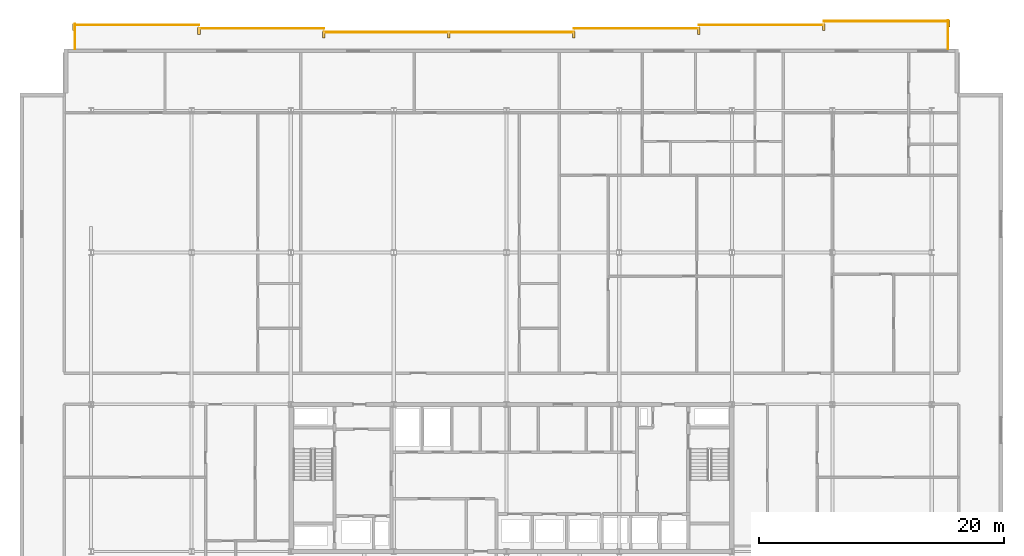
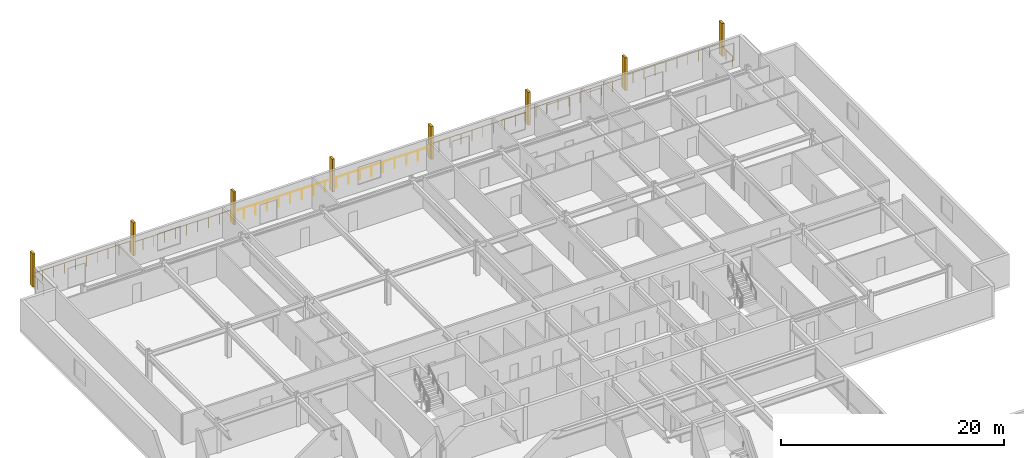
# One storey, part 36 of 36: 8 railings, 8 shading devices.
"""IFC4 building model written with IfcOpenShell, lengths in metres."""

from ifc_helpers import new_model, si_unit, direction, frame, origin, origin_2d, place, context, subcontext, project, spatial, rectangle, circle, extrude, material, type_object, element, save


model = new_model("IFC4")

# Units and contexts
model_context = context("Model", 3, precision=1e-05, world=origin(), true_north=direction((0.0, 1.0)))
body_context = subcontext(model_context, "Body", "Model", "MODEL_VIEW")
ifc_project = project(units=[si_unit("LENGTHUNIT", "METRE"), si_unit("AREAUNIT", "SQUARE_METRE"), si_unit("VOLUMEUNIT", "CUBIC_METRE"), si_unit("PLANEANGLEUNIT", "RADIAN"), si_unit("MASSUNIT", "GRAM", prefix="KILO")], contexts=[model_context])

# Site, building, storey
site_placement = place(None, origin())
site = spatial("IfcSite", under=ifc_project, at=site_placement, CompositionType="ELEMENT")
building_placement = place(site_placement, origin())
building = spatial("IfcBuilding", under=site, at=building_placement, Name="Korimba Cascade Residences", CompositionType="ELEMENT")
storey_placement = place(building_placement, frame((0.0, 0.0, 139.300048828125)))
storey = spatial("IfcBuildingStorey", under=building, at=storey_placement, Name="L40", CompositionType="ELEMENT", Elevation=139.300048828125)

# Railings
ifc_material_1 = material(Name="Laminated Glass and Bronze Balustrade", Category="glass")
railing_type = type_object("IfcRailingType", Name="RLG-LOG-1150", PredefinedType="BALUSTRADE", material=ifc_material_1)
railing_1_placement = place(storey_placement, frame((129.719970703125, 96.199951171875, 0.0)))
element("IfcRailing", 1, at=railing_1_placement, inside=storey, type_object=railing_type, Name="L40 Perimeter Guardrail RLG-L40-T1-LOG-01", PredefinedType="BALUSTRADE", context=body_context, shape_type="SweptSolid", body=[
    extrude(circle(Radius=0.02392578125, at=origin_2d()), frame((0.0, 0.0, 1.1259765625), z_axis=(0.0, 1.0, 0.0), x_axis=(-1.0, 0.0, 0.0)), (0.0, 0.0, 1.0), 2.35009765625),
    extrude(circle(Radius=0.02099609375, at=origin_2d()), origin(), (0.0, 0.0, 1.0), 1.101806640625),
    extrude(circle(Radius=0.02099609375, at=origin_2d()), frame((0.0, 1.175048828125, 0.0)), (0.0, 0.0, 1.0), 1.101806640625),
    extrude(circle(Radius=0.02099609375, at=origin_2d()), frame((0.0, 2.35009765625, 0.0)), (0.0, 0.0, 1.0), 1.101806640625),
])
railing_2_placement = place(storey_placement, frame((129.800048828125, 98.469970703125, 0.0)))
element("IfcRailing", 2, at=railing_2_placement, inside=storey, type_object=railing_type, Name="L40 Perimeter Guardrail RLG-L40-T1-LOG-02", PredefinedType="BALUSTRADE", context=body_context, shape_type="SweptSolid", body=[
    extrude(circle(Radius=0.02392578125, at=origin_2d()), frame((0.0, 0.0, 1.1259765625), z_axis=(-1.0, 0.0, 0.0), x_axis=(0.0, -1.0, 0.0)), (0.0, 0.0, 1.0), 10.199951171875),
    extrude(circle(Radius=0.02099609375, at=origin_2d()), origin(), (0.0, 0.0, 1.0), 1.101806640625),
    extrude(circle(Radius=0.02099609375, at=origin_2d()), frame((-1.13330078125, 0.0, 0.0)), (0.0, 0.0, 1.0), 1.101806640625),
    extrude(circle(Radius=0.02099609375, at=origin_2d()), frame((-2.2666015625, 0.0, 0.0)), (0.0, 0.0, 1.0), 1.101806640625),
    extrude(circle(Radius=0.02099609375, at=origin_2d()), frame((-3.39990234375, 0.0, 0.0)), (0.0, 0.0, 1.0), 1.101806640625),
    extrude(circle(Radius=0.02099609375, at=origin_2d()), frame((-4.533203125, 0.0, 0.0)), (0.0, 0.0, 1.0), 1.101806640625),
    extrude(circle(Radius=0.02099609375, at=origin_2d()), frame((-5.666748046875, 0.0, 0.0)), (0.0, 0.0, 1.0), 1.101806640625),
    extrude(circle(Radius=0.02099609375, at=origin_2d()), frame((-6.800048828125, 0.0, 0.0)), (0.0, 0.0, 1.0), 1.101806640625),
    extrude(circle(Radius=0.02099609375, at=origin_2d()), frame((-7.933349609375, 0.0, 0.0)), (0.0, 0.0, 1.0), 1.101806640625),
    extrude(circle(Radius=0.02099609375, at=origin_2d()), frame((-9.066650390625, 0.0, 0.0)), (0.0, 0.0, 1.0), 1.101806640625),
    extrude(circle(Radius=0.02099609375, at=origin_2d()), frame((-10.199951171875, 0.0, 0.0)), (0.0, 0.0, 1.0), 1.101806640625),
])
railing_3_placement = place(storey_placement, frame((119.60009765625, 98.169921875, 0.0)))
element("IfcRailing", 3, at=railing_3_placement, inside=storey, type_object=railing_type, Name="L40 Perimeter Guardrail RLG-L40-T1-LOG-03", PredefinedType="BALUSTRADE", context=body_context, shape_type="SweptSolid", body=[
    extrude(circle(Radius=0.02392578125, at=origin_2d()), frame((0.0, 0.0, 1.1259765625), z_axis=(-1.0, 0.0, 0.0), x_axis=(0.0, -1.0, 0.0)), (0.0, 0.0, 1.0), 10.2001953125),
    extrude(circle(Radius=0.02099609375, at=origin_2d()), origin(), (0.0, 0.0, 1.0), 1.101806640625),
    extrude(circle(Radius=0.02099609375, at=origin_2d()), frame((-1.13330078125, 0.0, 0.0)), (0.0, 0.0, 1.0), 1.101806640625),
    extrude(circle(Radius=0.02099609375, at=origin_2d()), frame((-2.2666015625, 0.0, 0.0)), (0.0, 0.0, 1.0), 1.101806640625),
    extrude(circle(Radius=0.02099609375, at=origin_2d()), frame((-3.400146484375, 0.0, 0.0)), (0.0, 0.0, 1.0), 1.101806640625),
    extrude(circle(Radius=0.02099609375, at=origin_2d()), frame((-4.533447265625, 0.0, 0.0)), (0.0, 0.0, 1.0), 1.101806640625),
    extrude(circle(Radius=0.02099609375, at=origin_2d()), frame((-5.666748046875, 0.0, 0.0)), (0.0, 0.0, 1.0), 1.101806640625),
    extrude(circle(Radius=0.02099609375, at=origin_2d()), frame((-6.800048828125, 0.0, 0.0)), (0.0, 0.0, 1.0), 1.101806640625),
    extrude(circle(Radius=0.02099609375, at=origin_2d()), frame((-7.93359375, 0.0, 0.0)), (0.0, 0.0, 1.0), 1.101806640625),
    extrude(circle(Radius=0.02099609375, at=origin_2d()), frame((-9.06689453125, 0.0, 0.0)), (0.0, 0.0, 1.0), 1.101806640625),
    extrude(circle(Radius=0.02099609375, at=origin_2d()), frame((-10.2001953125, 0.0, 0.0)), (0.0, 0.0, 1.0), 1.101806640625),
])
railing_4_placement = place(storey_placement, frame((109.39990234375, 97.8701171875, 0.0)))
element("IfcRailing", 4, at=railing_4_placement, inside=storey, type_object=railing_type, Name="L40 Perimeter Guardrail RLG-L40-T1-LOG-04", PredefinedType="BALUSTRADE", context=body_context, shape_type="SweptSolid", body=[
    extrude(circle(Radius=0.02392578125, at=origin_2d()), frame((0.0, 0.0, 1.1259765625), z_axis=(-1.0, 0.0, 0.0), x_axis=(0.0, -1.0, 0.0)), (0.0, 0.0, 1.0), 10.199951171875),
    extrude(circle(Radius=0.02099609375, at=origin_2d()), origin(), (0.0, 0.0, 1.0), 1.101806640625),
    extrude(circle(Radius=0.02099609375, at=origin_2d()), frame((-1.13330078125, 0.0, 0.0)), (0.0, 0.0, 1.0), 1.101806640625),
    extrude(circle(Radius=0.02099609375, at=origin_2d()), frame((-2.2666015625, 0.0, 0.0)), (0.0, 0.0, 1.0), 1.101806640625),
    extrude(circle(Radius=0.02099609375, at=origin_2d()), frame((-3.39990234375, 0.0, 0.0)), (0.0, 0.0, 1.0), 1.101806640625),
    extrude(circle(Radius=0.02099609375, at=origin_2d()), frame((-4.533203125, 0.0, 0.0)), (0.0, 0.0, 1.0), 1.101806640625),
    extrude(circle(Radius=0.02099609375, at=origin_2d()), frame((-5.666748046875, 0.0, 0.0)), (0.0, 0.0, 1.0), 1.101806640625),
    extrude(circle(Radius=0.02099609375, at=origin_2d()), frame((-6.800048828125, 0.0, 0.0)), (0.0, 0.0, 1.0), 1.101806640625),
    extrude(circle(Radius=0.02099609375, at=origin_2d()), frame((-7.933349609375, 0.0, 0.0)), (0.0, 0.0, 1.0), 1.101806640625),
    extrude(circle(Radius=0.02099609375, at=origin_2d()), frame((-9.066650390625, 0.0, 0.0)), (0.0, 0.0, 1.0), 1.101806640625),
    extrude(circle(Radius=0.02099609375, at=origin_2d()), frame((-10.199951171875, 0.0, 0.0)), (0.0, 0.0, 1.0), 1.101806640625),
])
railing_5_placement = place(storey_placement, frame((99.199951171875, 97.570068359375, 0.0)))
element("IfcRailing", 5, at=railing_5_placement, inside=storey, type_object=railing_type, Name="L40 Perimeter Guardrail RLG-L40-T1-LOG-05", PredefinedType="BALUSTRADE", context=body_context, shape_type="SweptSolid", body=[
    extrude(circle(Radius=0.02392578125, at=origin_2d()), frame((0.0, 0.0, 1.1259765625), z_axis=(-1.0, 0.0, 0.0), x_axis=(0.0, -1.0, 0.0)), (0.0, 0.0, 1.0), 20.39990234375),
    extrude(circle(Radius=0.02099609375, at=origin_2d()), origin(), (0.0, 0.0, 1.0), 1.101806640625),
    extrude(circle(Radius=0.02099609375, at=origin_2d()), frame((-1.199951171875, 0.0, 0.0)), (0.0, 0.0, 1.0), 1.101806640625),
    extrude(circle(Radius=0.02099609375, at=origin_2d()), frame((-2.39990234375, 0.0, 0.0)), (0.0, 0.0, 1.0), 1.101806640625),
    extrude(circle(Radius=0.02099609375, at=origin_2d()), frame((-3.60009765625, 0.0, 0.0)), (0.0, 0.0, 1.0), 1.101806640625),
    extrude(circle(Radius=0.02099609375, at=origin_2d()), frame((-4.800048828125, 0.0, 0.0)), (0.0, 0.0, 1.0), 1.101806640625),
    extrude(circle(Radius=0.02099609375, at=origin_2d()), frame((-6.0, 0.0, 0.0)), (0.0, 0.0, 1.0), 1.101806640625),
    extrude(circle(Radius=0.02099609375, at=origin_2d()), frame((-7.199951171875, 0.0, 0.0)), (0.0, 0.0, 1.0), 1.101806640625),
    extrude(circle(Radius=0.02099609375, at=origin_2d()), frame((-8.39990234375, 0.0, 0.0)), (0.0, 0.0, 1.0), 1.101806640625),
    extrude(circle(Radius=0.02099609375, at=origin_2d()), frame((-9.599853515625, 0.0, 0.0)), (0.0, 0.0, 1.0), 1.101806640625),
    extrude(circle(Radius=0.02099609375, at=origin_2d()), frame((-10.800048828125, 0.0, 0.0)), (0.0, 0.0, 1.0), 1.101806640625),
    extrude(circle(Radius=0.02099609375, at=origin_2d()), frame((-12.0, 0.0, 0.0)), (0.0, 0.0, 1.0), 1.101806640625),
    extrude(circle(Radius=0.02099609375, at=origin_2d()), frame((-13.199951171875, 0.0, 0.0)), (0.0, 0.0, 1.0), 1.101806640625),
    extrude(circle(Radius=0.02099609375, at=origin_2d()), frame((-14.39990234375, 0.0, 0.0)), (0.0, 0.0, 1.0), 1.101806640625),
    extrude(circle(Radius=0.02099609375, at=origin_2d()), frame((-15.599853515625, 0.0, 0.0)), (0.0, 0.0, 1.0), 1.101806640625),
    extrude(circle(Radius=0.02099609375, at=origin_2d()), frame((-16.7998046875, 0.0, 0.0)), (0.0, 0.0, 1.0), 1.101806640625),
    extrude(circle(Radius=0.02099609375, at=origin_2d()), frame((-18.0, 0.0, 0.0)), (0.0, 0.0, 1.0), 1.101806640625),
    extrude(circle(Radius=0.02099609375, at=origin_2d()), frame((-19.199951171875, 0.0, 0.0)), (0.0, 0.0, 1.0), 1.101806640625),
    extrude(circle(Radius=0.02099609375, at=origin_2d()), frame((-20.39990234375, 0.0, 0.0)), (0.0, 0.0, 1.0), 1.101806640625),
])
railing_6_placement = place(storey_placement, frame((78.800048828125, 97.8701171875, 0.0)))
element("IfcRailing", 6, at=railing_6_placement, inside=storey, type_object=railing_type, Name="L40 Perimeter Guardrail RLG-L40-T1-LOG-06", PredefinedType="BALUSTRADE", context=body_context, shape_type="SweptSolid", body=[
    extrude(circle(Radius=0.02392578125, at=origin_2d()), frame((0.0, 0.0, 1.1259765625), z_axis=(-1.0, 0.0, 0.0), x_axis=(0.0, -1.0, 0.0)), (0.0, 0.0, 1.0), 10.199951171875),
    extrude(circle(Radius=0.02099609375, at=origin_2d()), origin(), (0.0, 0.0, 1.0), 1.101806640625),
    extrude(circle(Radius=0.02099609375, at=origin_2d()), frame((-1.13330078125, 0.0, 0.0)), (0.0, 0.0, 1.0), 1.101806640625),
    extrude(circle(Radius=0.02099609375, at=origin_2d()), frame((-2.2666015625, 0.0, 0.0)), (0.0, 0.0, 1.0), 1.101806640625),
    extrude(circle(Radius=0.02099609375, at=origin_2d()), frame((-3.39990234375, 0.0, 0.0)), (0.0, 0.0, 1.0), 1.101806640625),
    extrude(circle(Radius=0.02099609375, at=origin_2d()), frame((-4.533203125, 0.0, 0.0)), (0.0, 0.0, 1.0), 1.101806640625),
    extrude(circle(Radius=0.02099609375, at=origin_2d()), frame((-5.666748046875, 0.0, 0.0)), (0.0, 0.0, 1.0), 1.101806640625),
    extrude(circle(Radius=0.02099609375, at=origin_2d()), frame((-6.800048828125, 0.0, 0.0)), (0.0, 0.0, 1.0), 1.101806640625),
    extrude(circle(Radius=0.02099609375, at=origin_2d()), frame((-7.933349609375, 0.0, 0.0)), (0.0, 0.0, 1.0), 1.101806640625),
    extrude(circle(Radius=0.02099609375, at=origin_2d()), frame((-9.066650390625, 0.0, 0.0)), (0.0, 0.0, 1.0), 1.101806640625),
    extrude(circle(Radius=0.02099609375, at=origin_2d()), frame((-10.199951171875, 0.0, 0.0)), (0.0, 0.0, 1.0), 1.101806640625),
])
railing_7_placement = place(storey_placement, frame((68.60009765625, 98.169921875, 0.0)))
element("IfcRailing", 7, at=railing_7_placement, inside=storey, type_object=railing_type, Name="L40 Perimeter Guardrail RLG-L40-T1-LOG-07", PredefinedType="BALUSTRADE", context=body_context, shape_type="SweptSolid", body=[
    extrude(circle(Radius=0.02392578125, at=origin_2d()), frame((0.0, 0.0, 1.1259765625), z_axis=(-1.0, 0.0, 0.0), x_axis=(0.0, -1.0, 0.0)), (0.0, 0.0, 1.0), 10.2001953125),
    extrude(circle(Radius=0.02099609375, at=origin_2d()), origin(), (0.0, 0.0, 1.0), 1.101806640625),
    extrude(circle(Radius=0.02099609375, at=origin_2d()), frame((-1.13330078125, 0.0, 0.0)), (0.0, 0.0, 1.0), 1.101806640625),
    extrude(circle(Radius=0.02099609375, at=origin_2d()), frame((-2.2666015625, 0.0, 0.0)), (0.0, 0.0, 1.0), 1.101806640625),
    extrude(circle(Radius=0.02099609375, at=origin_2d()), frame((-3.400146484375, 0.0, 0.0)), (0.0, 0.0, 1.0), 1.101806640625),
    extrude(circle(Radius=0.02099609375, at=origin_2d()), frame((-4.533447265625, 0.0, 0.0)), (0.0, 0.0, 1.0), 1.101806640625),
    extrude(circle(Radius=0.02099609375, at=origin_2d()), frame((-5.666748046875, 0.0, 0.0)), (0.0, 0.0, 1.0), 1.101806640625),
    extrude(circle(Radius=0.02099609375, at=origin_2d()), frame((-6.800048828125, 0.0, 0.0)), (0.0, 0.0, 1.0), 1.101806640625),
    extrude(circle(Radius=0.02099609375, at=origin_2d()), frame((-7.93359375, 0.0, 0.0)), (0.0, 0.0, 1.0), 1.101806640625),
    extrude(circle(Radius=0.02099609375, at=origin_2d()), frame((-9.06689453125, 0.0, 0.0)), (0.0, 0.0, 1.0), 1.101806640625),
    extrude(circle(Radius=0.02099609375, at=origin_2d()), frame((-10.2001953125, 0.0, 0.0)), (0.0, 0.0, 1.0), 1.101806640625),
])
railing_8_placement = place(storey_placement, frame((58.47998046875, 98.25, 0.0)))
element("IfcRailing", 8, at=railing_8_placement, inside=storey, type_object=railing_type, Name="L40 Perimeter Guardrail RLG-L40-T1-LOG-08", PredefinedType="BALUSTRADE", context=body_context, shape_type="SweptSolid", body=[
    extrude(circle(Radius=0.02392578125, at=origin_2d()), frame((0.0, 0.0, 1.1259765625), z_axis=(0.0, -1.0, 0.0), x_axis=(1.0, 0.0, 0.0)), (0.0, 0.0, 1.0), 2.050048828125),
    extrude(circle(Radius=0.02099609375, at=origin_2d()), origin(), (0.0, 0.0, 1.0), 1.101806640625),
    extrude(circle(Radius=0.02099609375, at=origin_2d()), frame((0.0, -1.02490234375, 0.0)), (0.0, 0.0, 1.0), 1.101806640625),
    extrude(circle(Radius=0.02099609375, at=origin_2d()), frame((0.0, -2.050048828125, 0.0)), (0.0, 0.0, 1.0), 1.101806640625),
])

# Shading devices
ifc_material_2 = material(Name="Honed Sandstone Precast Fin", Category="masonry")
shading_device_type = type_object("IfcShadingDeviceType", Name="SHD-FIN-550", PredefinedType="USERDEFINED", material=ifc_material_2)
for number, where, z_axis, x_axis, name in (
    (9, (58.39990234375, 97.97509765625, 0.0), (0.0, 0.0, 1.0), (1.0, 0.0, 0.0), "L40 T1 Warm-Stone Loggia Fin 1"),
    (10, (68.60009765625, 97.675048828125, 0.0), (0.0, 0.0, 1.0), (1.0, 0.0, 0.0), "L40 T1 Warm-Stone Loggia Fin 2"),
    (11, (78.800048828125, 97.375, 0.0), (0.0, 0.0, 1.0), (1.0, 0.0, 0.0), "L40 T1 Warm-Stone Loggia Fin 3"),
    (12, (89.0, 97.375, 0.0), (0.0, 0.0, 1.0), (1.0, 0.0, 0.0), "L40 T1 Warm-Stone Loggia Fin 4"),
    (13, (99.199951171875, 97.375, 0.0), (0.0, 0.0, 1.0), (1.0, 0.0, 0.0), "L40 T1 Warm-Stone Loggia Fin 5"),
    (14, (109.39990234375, 97.675048828125, 0.0), (0.0, 0.0, 1.0), (1.0, 0.0, 0.0), "L40 T1 Warm-Stone Loggia Fin 6"),
    (15, (119.60009765625, 97.97509765625, 0.0), (0.0, 0.0, 1.0), (1.0, 0.0, 0.0), "L40 T1 Warm-Stone Loggia Fin 7"),
    (16, (129.800048828125, 98.27490234375, 0.0), (0.0, 0.0, 1.0), (1.0, 0.0, 0.0), "L40 T1 Warm-Stone Loggia Fin 8"),
):
    element("IfcShadingDevice", number, at=place(storey_placement, frame(where, z_axis=z_axis, x_axis=x_axis)), inside=storey, type_object=shading_device_type, Name=name, ObjectType="FIN", PredefinedType="USERDEFINED", context=body_context, shape_type="SweptSolid", body=[
        extrude(rectangle(XDim=0.219970703125, YDim=0.550048828125, at=origin_2d()), origin(), (0.0, 0.0, 1.0), 3.60009765625),
    ])

save(model, "model.ifc")
